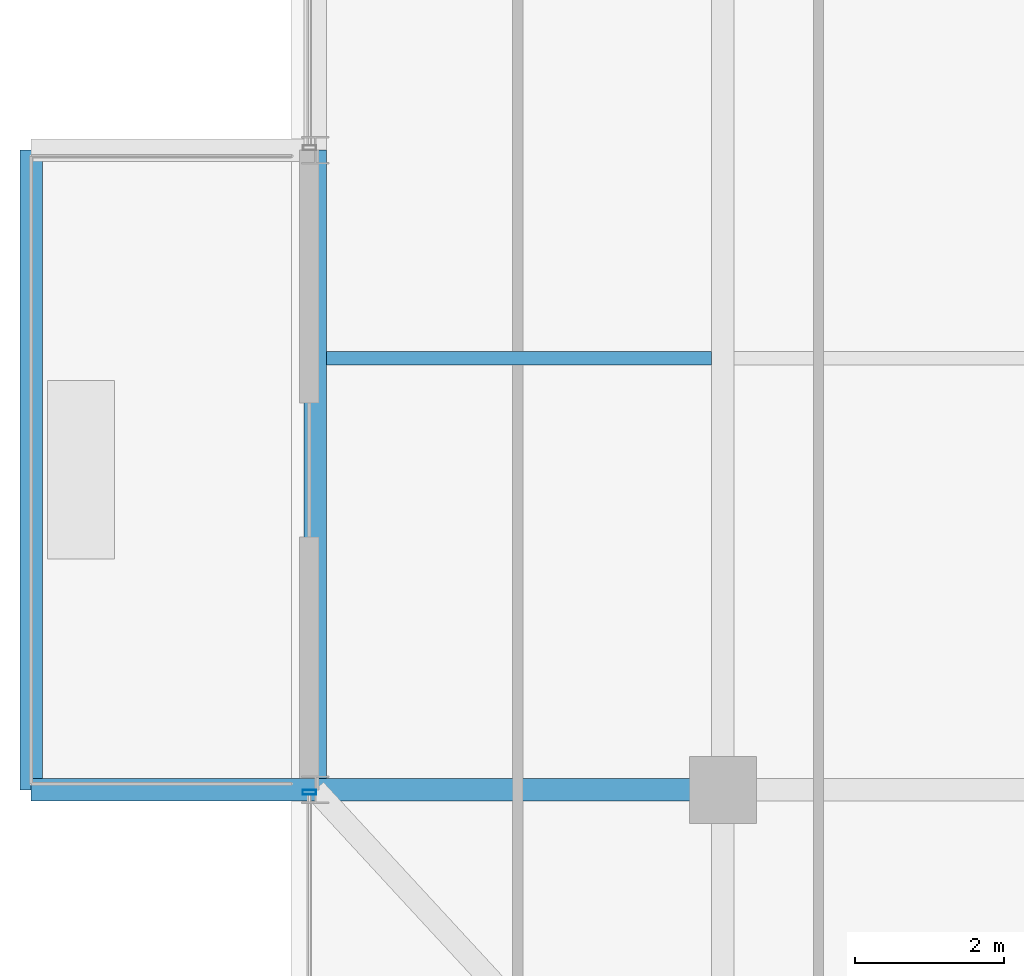
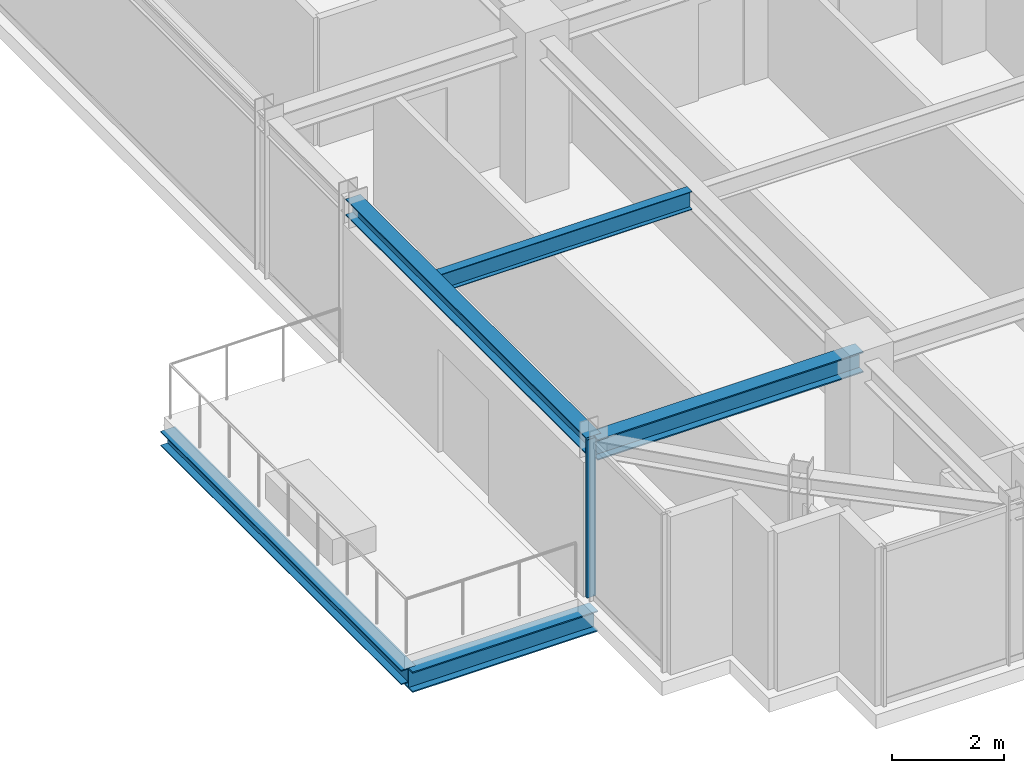
# One storey, part 5 of 31: 5 beams, 1 member, 1 element without a shape of its own.
"""IFC4 building model written with IfcOpenShell, lengths in metres."""

from ifc_helpers import new_model, si_unit, direction, frame, origin, origin_2d, place, context, subcontext, project, spatial, hollow_rectangle, i_section, extrude, source, transform, mapped, material, material_profile, profile_set, type_object, element, aggregate, save


model = new_model("IFC4")

# Units and contexts
model_context = context("Model", 3, precision=1e-05, world=origin(), true_north=direction((0.0, 1.0)))
body_context = subcontext(model_context, "Body", "Model", "MODEL_VIEW")
ifc_project = project(units=[si_unit("LENGTHUNIT", "METRE"), si_unit("AREAUNIT", "SQUARE_METRE"), si_unit("VOLUMEUNIT", "CUBIC_METRE"), si_unit("PLANEANGLEUNIT", "RADIAN"), si_unit("MASSUNIT", "GRAM", prefix="KILO")], contexts=[model_context])

# Site, building, storey
site_placement = place(None, origin())
site = spatial("IfcSite", under=ifc_project, at=site_placement, CompositionType="ELEMENT")
building_placement = place(site_placement, origin())
building = spatial("IfcBuilding", under=site, at=building_placement, Name="Nahalor Promenade Grand Hotel", CompositionType="ELEMENT")
storey_placement = place(building_placement, frame((0.0, 0.0, 277.550048828125)))
storey = spatial("IfcBuildingStorey", under=building, at=storey_placement, Name="L71", CompositionType="ELEMENT", Elevation=277.550048828125)

# Beams
ifc_material_1 = material(Name="Steel S355JR", Category="steel")
ifc_material_profile_1 = material_profile(ifc_material_1, i_section(OverallWidth=0.3, OverallDepth=0.32, WebThickness=0.0115, FlangeThickness=0.0205, at=origin_2d()), Name="HEB 320")
ifc_profile_set_1 = profile_set([ifc_material_profile_1], Name="Steel S355JR")
beam_type_1 = type_object("IfcBeamType", Name="Beam-BalcEdge-HEB320", PredefinedType="SPANDREL", material=ifc_profile_set_1)
shared_shape_1 = source(origin(), body_context, "Body", "SweptSolid", [
    extrude(i_section(OverallWidth=0.3, OverallDepth=0.32, WebThickness=0.0115, FlangeThickness=0.0205, at=origin_2d()), origin(), (0.0, 0.0, 1.0), 8.60009765625),
])
beam_1_placement = place(storey_placement, frame((-26.300048828125, -17.0, -0.43994140625), z_axis=(0.0, 1.0, 0.0), x_axis=(-1.0, 0.0, 0.0)))
element("IfcBeam", 1, at=beam_1_placement, inside=storey, type_object=beam_type_1, Name="BM-L71-BC-02-F", PredefinedType="SPANDREL", context=body_context, shape_type="MappedRepresentation", body=[
    mapped(shared_shape_1, transform((0.0, 0.0, 0.0), scale=1.0)),
])
ifc_material_profile_2 = material_profile(ifc_material_1, i_section(OverallWidth=0.3, OverallDepth=0.45, WebThickness=0.014, FlangeThickness=0.026, at=origin_2d()), Name="HEB 450")
ifc_profile_set_2 = profile_set([ifc_material_profile_2], Name="Steel S355JR")
beam_type_2 = type_object("IfcBeamType", Name="Beam-Outrigger-HEB450", PredefinedType="BEAM", material=ifc_profile_set_2)
shared_shape_2 = source(origin(), body_context, "Body", "SweptSolid", [
    extrude(i_section(OverallWidth=0.3, OverallDepth=0.45, WebThickness=0.014, FlangeThickness=0.026, at=origin_2d()), origin(), (0.0, 0.0, 1.0), 3.820068359375),
])
beam_2_placement = place(storey_placement, frame((-26.300048828125, -17.0, -0.505126953125), z_axis=(1.0, 0.0, 0.0), x_axis=(0.0, 1.0, 0.0)))
element("IfcBeam", 2, at=beam_2_placement, inside=storey, type_object=beam_type_2, Name="BM-L71-BC-02-1", PredefinedType="BEAM", context=body_context, shape_type="MappedRepresentation", body=[
    mapped(shared_shape_2, transform((0.0, 0.0, 0.0), scale=1.0)),
])
ifc_material_profile_3 = material_profile(ifc_material_1, i_section(OverallWidth=0.3, OverallDepth=0.45, WebThickness=0.014, FlangeThickness=0.026, at=origin_2d()), Name="HEB 450")
ifc_profile_set_3 = profile_set([ifc_material_profile_3], Name="Steel S355JR")
beam_type_3 = type_object("IfcBeamType", Name="Beam-Girder-HEB450", PredefinedType="BEAM", material=ifc_profile_set_3)
shared_shape_3 = source(origin(), body_context, "Body", "SweptSolid", [
    extrude(i_section(OverallWidth=0.3, OverallDepth=0.45, WebThickness=0.014, FlangeThickness=0.026, at=origin_2d()), origin(), (0.0, 0.0, 1.0), 5.47998046875),
])
beam_3_placement = place(storey_placement, frame((-22.47998046875, -17.0, 3.224853515625), z_axis=(1.0, 0.0, 0.0), x_axis=(0.0, 1.0, 0.0)))
element("IfcBeam", 3, at=beam_3_placement, inside=storey, type_object=beam_type_3, Name="BM-L71-GX-0-0", PredefinedType="BEAM", context=body_context, shape_type="MappedRepresentation", body=[
    mapped(shared_shape_3, transform((0.0, 0.0, 0.0), scale=1.0)),
])
ifc_material_profile_4 = material_profile(ifc_material_1, i_section(OverallWidth=0.18, OverallDepth=0.4, WebThickness=0.0086, FlangeThickness=0.0135, at=origin_2d()), Name="IPE 400")
ifc_profile_set_4 = profile_set([ifc_material_profile_4], Name="Steel S355JR")
beam_type_4 = type_object("IfcBeamType", Name="Beam-Joist-IPE400", PredefinedType="JOIST", material=ifc_profile_set_4)
shared_shape_4 = source(origin(), body_context, "Body", "SweptSolid", [
    extrude(i_section(OverallWidth=0.18, OverallDepth=0.4, WebThickness=0.0086, FlangeThickness=0.0135, at=origin_2d()), origin(), (0.0, 0.0, 1.0), 5.18017578125),
])
beam_4_placement = place(storey_placement, frame((-22.330078125, -11.199951171875, 3.25), z_axis=(1.0, 0.0, 0.0), x_axis=(0.0, 1.0, 0.0)))
element("IfcBeam", 4, at=beam_4_placement, inside=storey, type_object=beam_type_4, Name="BM-L71-JSW-0-0", PredefinedType="JOIST", context=body_context, shape_type="MappedRepresentation", body=[
    mapped(shared_shape_4, transform((0.0, 0.0, 0.0), scale=1.0)),
])
ifc_material_profile_5 = material_profile(ifc_material_1, i_section(OverallWidth=0.3, OverallDepth=0.36, WebThickness=0.0125, FlangeThickness=0.0225, at=origin_2d()), Name="HEB 360")
ifc_profile_set_5 = profile_set([ifc_material_profile_5], Name="Steel S355JR")
beam_type_5 = type_object("IfcBeamType", Name="Beam-Spandrel-HEB360", PredefinedType="SPANDREL", material=ifc_profile_set_5)
shared_shape_5 = source(origin(), body_context, "Body", "SweptSolid", [
    extrude(i_section(OverallWidth=0.3, OverallDepth=0.36, WebThickness=0.0125, FlangeThickness=0.0225, at=origin_2d()), origin(), (0.0, 0.0, 1.0), 8.60009765625),
])
beam_5_placement = place(storey_placement, frame((-22.47998046875, -17.0, 3.27001953125), z_axis=(0.0, 1.0, 0.0), x_axis=(-1.0, 0.0, 0.0)))
element("IfcBeam", 5, at=beam_5_placement, inside=storey, type_object=beam_type_5, Name="BM-L71-SP-W-0", PredefinedType="SPANDREL", context=body_context, shape_type="MappedRepresentation", body=[
    mapped(shared_shape_5, transform((0.0, 0.0, 0.0), scale=1.0)),
])

# Curtain wall, member
ifc_material_2 = material(Name="Anodised Bronze Aluminium EN AW-6063 T6", Category="aluminium")
curtain_wall_type = type_object("IfcCurtainWallType", Name="CW2 Typical Hotel Flush Bronze Unitised Curtain Wall", PredefinedType="USERDEFINED", material=ifc_material_2)
curtain_wall_placement = place(storey_placement, origin())
curtain_wall = element("IfcCurtainWall", 6, at=curtain_wall_placement, inside=storey, type_object=curtain_wall_type, Name="L71 Curtain Wall CW-L71-W-1", ObjectType="UNITISED_CURTAIN_WALL", PredefinedType="USERDEFINED")
ifc_material_profile_6 = material_profile(ifc_material_2, hollow_rectangle(XDim=0.065, YDim=0.18, WallThickness=0.004, at=origin_2d()), Name="CWM 65x180x4")
ifc_profile_set_6 = profile_set([ifc_material_profile_6], Name="Anodised Bronze Aluminium EN AW-6063 T6")
member_type = type_object("IfcMemberType", Name="CWM2 Typical Bronze Mullion 65x180", PredefinedType="MULLION", material=ifc_profile_set_6)
shared_shape_6 = source(origin(), body_context, "Body", "SweptSolid", [
    extrude(hollow_rectangle(XDim=0.065, YDim=0.18, WallThickness=0.004, at=origin_2d()), origin(), (0.0, 0.0, 1.0), 3.449951171875),
])
member_placement = place(storey_placement, frame((-22.56005859375, -17.032470703125, 0.0), z_axis=(0.0, 0.0, 1.0), x_axis=(0.0, 1.0, 0.0)))
member = element("IfcMember", 7, at=member_placement, type_object=member_type, Name="CW-L71-W-1 Mullion 1", PredefinedType="MULLION", context=body_context, shape_type="MappedRepresentation", body=[
    mapped(shared_shape_6, transform((0.0, 0.0, 0.0), scale=1.0)),
])
aggregate(curtain_wall, [member])

save(model, "model.ifc")
